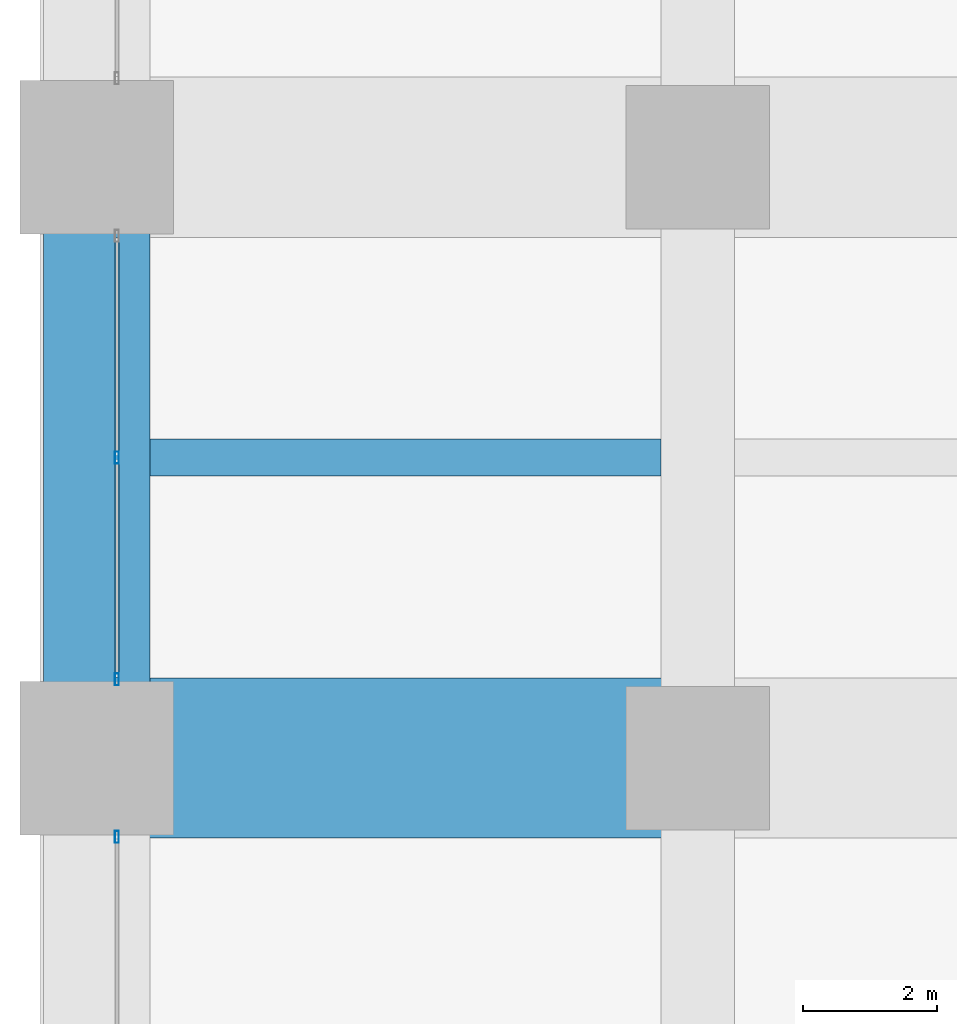
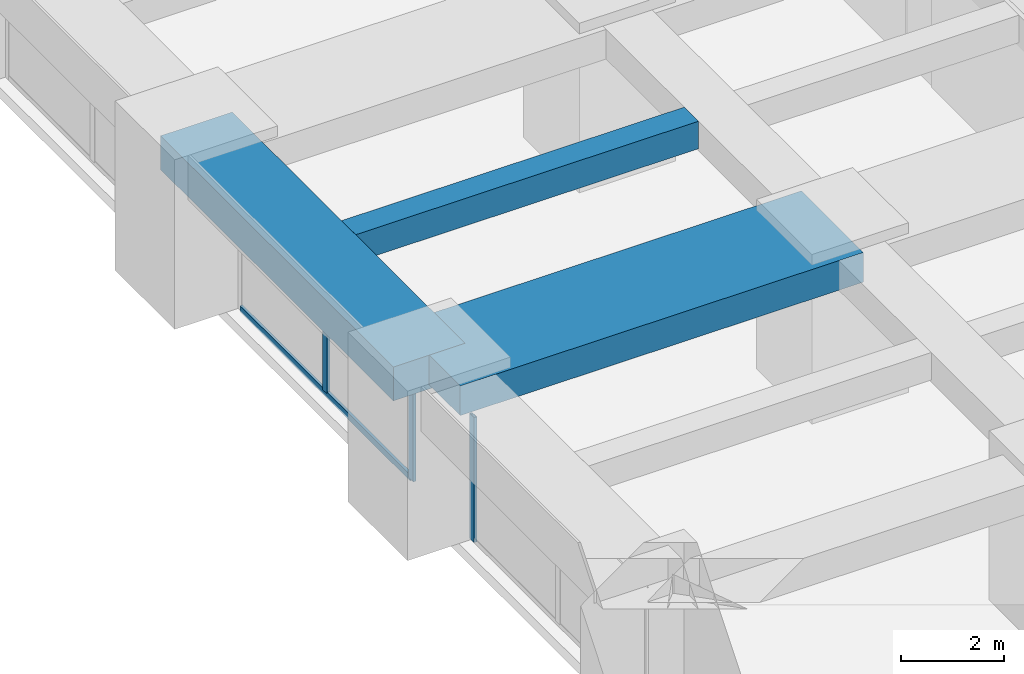
# One storey, part 8 of 44: 4 members, 3 beams, 2 elements without a shape of their own.
"""IFC4 building model written with IfcOpenShell, lengths in metres."""

import ifcopenshell
import ifcopenshell.guid

model = None  # the IFC model being written
_history = None  # IfcOwnerHistory: only IFC2X3 demands one
_inside = {}  # id of a spatial element -> (the spatial element, [elements in it])
_under = {}  # id of a project, library or spatial element -> (it, [spatial elements below it])
_declared = {}  # id of a project -> (the project, [libraries it declares])
_typed = {}  # id of a type object -> (the type object, [elements of that type])
_made_of = {}  # id of a material, layer set ... -> (it, [elements and type objects made of it])


def new_model(schema):
    """Start an empty IFC model of exactly this schema.

    Asked for "IFC4X3", IfcOpenShell would pick the latest addendum, in which some entities
    have other attributes; the version numbers below select the first issue.
    IFC2X3 requires an IfcOwnerHistory on every rooted entity: one is made here for all.
    """
    global model, _history
    if schema == "IFC4X3":
        model = ifcopenshell.file(schema_version=(4, 3, 0, 0))
    else:
        model = ifcopenshell.file(schema=schema)
    _inside.clear()
    _under.clear()
    _declared.clear()
    _typed.clear()
    _made_of.clear()
    _history = None
    if model.schema == "IFC2X3":
        org = make("IfcOrganization", Name="unknown")
        user = make(
            "IfcPersonAndOrganization",
            ThePerson=make("IfcPerson", FamilyName="unknown"),
            TheOrganization=org,
        )
        app = make(
            "IfcApplication",
            ApplicationDeveloper=org,
            Version="unknown",
            ApplicationFullName="unknown",
            ApplicationIdentifier="unknown",
        )
        _history = make(
            "IfcOwnerHistory",
            OwningUser=user,
            OwningApplication=app,
            ChangeAction="ADDED",
            CreationDate=0,
        )
    return model


def make(cls, **values):
    """One entity of the class cls with the attributes given. An attribute that is None is left unset."""
    return model.create_entity(
        cls, **{name: value for name, value in values.items() if value is not None}
    )


def rooted(cls, **values):
    """An entity with a GlobalId (a new one), such as an element, a storey or a relation."""
    return make(cls, GlobalId=ifcopenshell.guid.new(), OwnerHistory=_history, **values)


def si_unit(unit_type, name, prefix=None):
    """IfcSIUnit, for example si_unit("LENGTHUNIT", "METRE", prefix="MILLI")."""
    return make("IfcSIUnit", UnitType=unit_type, Prefix=prefix, Name=name)


def assignment(units):
    """IfcUnitAssignment: the units of a project."""
    return None if units is None else make("IfcUnitAssignment", Units=units)


def point(xyz):
    """IfcCartesianPoint."""
    return None if xyz is None else make("IfcCartesianPoint", Coordinates=xyz)


def direction(xyz):
    """IfcDirection."""
    return None if xyz is None else make("IfcDirection", DirectionRatios=xyz)


def frame(location, z_axis=None, x_axis=None):
    """IfcAxis2Placement3D, a coordinate frame: its origin and axes. An axis left out is left unset."""
    return make(
        "IfcAxis2Placement3D",
        Location=point(location),
        Axis=direction(z_axis),
        RefDirection=direction(x_axis),
    )


def frame_2d(location, x_axis=None):
    """IfcAxis2Placement2D, a coordinate frame in the plane: its origin and x axis."""
    return make(
        "IfcAxis2Placement2D", Location=point(location), RefDirection=direction(x_axis)
    )


def origin():
    """The frame at (0, 0, 0) with its axes left unset."""
    return frame((0.0, 0.0, 0.0))


def origin_2d():
    """The frame at (0, 0) in the plane with its x axis left unset."""
    return frame_2d((0.0, 0.0))


def place(relative_to, where):
    """IfcLocalPlacement: puts the frame where relative to a parent placement (None: the world)."""
    return make(
        "IfcLocalPlacement", PlacementRelTo=relative_to, RelativePlacement=where
    )


def context(
    kind, dimensions, precision=None, world=None, true_north=None, identifier=None
):
    """IfcGeometricRepresentationContext, for example the 3D "Model" context."""
    return make(
        "IfcGeometricRepresentationContext",
        ContextIdentifier=identifier,
        ContextType=kind,
        CoordinateSpaceDimension=dimensions,
        Precision=precision,
        WorldCoordinateSystem=world,
        TrueNorth=true_north,
    )


def subcontext(parent, identifier, kind, view, scale=None):
    """IfcGeometricRepresentationSubContext, for example "Body" below "Model"."""
    return make(
        "IfcGeometricRepresentationSubContext",
        ContextIdentifier=identifier,
        ContextType=kind,
        ParentContext=parent,
        TargetScale=scale,
        TargetView=view,
    )


def project(units=None, contexts=None):
    """IfcProject with its units and contexts."""
    return rooted(
        "IfcProject",
        Name="project",
        RepresentationContexts=contexts,
        UnitsInContext=assignment(units),
    )


def spatial(cls, under=None, at=None, **own):
    """A site, building, storey or space (cls), placed at a placement, below another one or the project."""
    s = rooted(cls, ObjectPlacement=at, **own)
    if under is not None:
        _under.setdefault(under.id(), (under, []))[1].append(s)
    return s


def profile(cls, at=None, kind="AREA", **sizes):
    """A parametric profile (cls). Its sizes go by their IFC names, for example OverallWidth=200.0."""
    return make(cls, ProfileType=kind, Position=at, **sizes)


def rectangle(**sizes):
    """IfcRectangleProfileDef."""
    return profile("IfcRectangleProfileDef", **sizes)


def hollow_rectangle(**sizes):
    """IfcRectangleHollowProfileDef."""
    return profile("IfcRectangleHollowProfileDef", **sizes)


def extrude(swept, where, along, depth):
    """IfcExtrudedAreaSolid: the profile swept, set in the frame where, extruded along a direction by depth."""
    return make(
        "IfcExtrudedAreaSolid",
        SweptArea=swept,
        Position=where,
        ExtrudedDirection=direction(along),
        Depth=depth,
    )


def shape(context_of_items, identifier, shape_type, items):
    """IfcShapeRepresentation: the items that make up one representation, for example the "Body"."""
    return make(
        "IfcShapeRepresentation",
        ContextOfItems=context_of_items,
        RepresentationIdentifier=identifier,
        RepresentationType=shape_type,
        Items=items,
    )


def material(Name=None, Category=None):
    """IfcMaterial."""
    return make("IfcMaterial", Name=Name, Category=Category)


def material_profile(
    of_material, cross_section, Name=None, Category=None, Priority=None
):
    """IfcMaterialProfile: a cross section and its material."""
    return make(
        "IfcMaterialProfile",
        Name=Name,
        Material=of_material,
        Profile=cross_section,
        Priority=Priority,
        Category=Category,
    )


def profile_set(profiles, Name=None, composite=None):
    """IfcMaterialProfileSet."""
    return make(
        "IfcMaterialProfileSet",
        Name=Name,
        MaterialProfiles=profiles,
        CompositeProfile=composite,
    )


def made_of(thing, what):
    """Note that an element or type object is made of a material, layer set ...; save() writes the relation."""
    if what is not None:
        _made_of.setdefault(what.id(), (what, []))[1].append(thing)
    return thing


def type_object(cls, material=None, **own):
    """A type object (cls), such as IfcWallType, which elements share."""
    return made_of(rooted(cls, **own), material)


def element(
    cls,
    number,
    at=None,
    inside=None,
    cuts=None,
    type_object=None,
    material=None,
    context=None,
    identifier="Body",
    shape_type=None,
    held_by="IfcProductDefinitionShape",
    body=None,
    shapes=None,
    **own,
):
    """One element of the class cls, such as IfcWall. Its Tag is "e" and its number.

    at: its placement. inside: the storey or other place that contains it. cuts: it is an
    opening in that element (IfcRelVoidsElement). A single representation is given by context,
    identifier, shape_type and body (its items); several are given by shapes. held_by: the class
    of the entity that holds the representations. save() writes the other relations.
    """
    e = rooted(cls, Tag="e%d" % number, ObjectPlacement=at, **own)
    if body is not None:
        shapes = [shape(context, identifier, shape_type, body)]
    if shapes is not None:
        e.Representation = make(held_by, Representations=shapes)
    if inside is not None:
        _inside.setdefault(inside.id(), (inside, []))[1].append(e)
    if cuts is not None:
        rooted(
            "IfcRelVoidsElement", RelatingBuildingElement=cuts, RelatedOpeningElement=e
        )
    if type_object is not None:
        _typed.setdefault(type_object.id(), (type_object, []))[1].append(e)
    return made_of(e, material)


def aggregate(whole, parts):
    """IfcRelAggregates: a whole, such as a stair, and the parts it consists of."""
    return rooted("IfcRelAggregates", RelatingObject=whole, RelatedObjects=parts)


def save(model, path):
    """Write the relations noted so far, then the file.

    IfcRelAggregates (storeys below a building ...), IfcRelContainedInSpatialStructure (elements
    in a storey), IfcRelDefinesByType, IfcRelAssociatesMaterial and IfcRelDeclares: one each for
    every whole, place, type object, material and project.
    """
    for whole, parts in _under.values():
        aggregate(whole, parts)
    for where, things in _inside.values():
        rooted(
            "IfcRelContainedInSpatialStructure",
            RelatedElements=things,
            RelatingStructure=where,
        )
    for kind, things in _typed.values():
        rooted("IfcRelDefinesByType", RelatedObjects=things, RelatingType=kind)
    for what, things in _made_of.values():
        rooted("IfcRelAssociatesMaterial", RelatedObjects=things, RelatingMaterial=what)
    for by, libraries in _declared.values():
        rooted("IfcRelDeclares", RelatingContext=by, RelatedDefinitions=libraries)
    model.write(path)


model = new_model("IFC4")

# Units and contexts
model_context = context("Model", 3, precision=1e-05, world=origin(), true_north=direction((0.0, 1.0)))
body_context = subcontext(model_context, "Body", "Model", "MODEL_VIEW")
ifc_project = project(units=[si_unit("LENGTHUNIT", "METRE"), si_unit("AREAUNIT", "SQUARE_METRE"), si_unit("VOLUMEUNIT", "CUBIC_METRE"), si_unit("PLANEANGLEUNIT", "RADIAN"), si_unit("MASSUNIT", "GRAM", prefix="KILO")], contexts=[model_context])

# Site, building, storey
site_placement = place(None, origin())
site = spatial("IfcSite", under=ifc_project, at=site_placement, CompositionType="ELEMENT")
building_placement = place(site_placement, origin())
building = spatial("IfcBuilding", under=site, at=building_placement, Name="Zorevar Civic Tower", CompositionType="ELEMENT")
storey_placement = place(building_placement, frame((0.0, 0.0, 63.800048828125)))
storey = spatial("IfcBuildingStorey", under=building, at=storey_placement, Name="L15", CompositionType="ELEMENT", Elevation=63.800048828125)

# Beams
ifc_material_1 = material(Name="Concrete C50/60", Category="concrete")
ifc_material_profile_1 = material_profile(ifc_material_1, rectangle(XDim=2.39990234375, YDim=0.699951171875, at=origin_2d()), Name="RC 2400x700")
ifc_profile_set_1 = profile_set([ifc_material_profile_1], Name="Concrete C50/60")
beam_type_1 = type_object("IfcBeamType", Name="Beam RC 2400x700", PredefinedType="BEAM", material=ifc_profile_set_1)
beam_1_placement = place(storey_placement, frame((0.0, 18.0, 3.39990234375), z_axis=(1.0, 0.0, 0.0), x_axis=(0.0, 1.0, 0.0)))
element("IfcBeam", 1, at=beam_1_placement, inside=storey, type_object=beam_type_1, Name="Girder L16", PredefinedType="BEAM", context=body_context, shape_type="SweptSolid", body=[
    extrude(rectangle(XDim=2.39990234375, YDim=0.699951171875, at=origin_2d()), origin(), (0.0, 0.0, 1.0), 9.0),
])
ifc_material_2 = material(Name="Concrete C50/60", Category="concrete")
ifc_material_profile_2 = material_profile(ifc_material_2, rectangle(XDim=0.550048828125, YDim=0.64990234375, at=origin_2d()), Name="RC 550x650")
ifc_profile_set_2 = profile_set([ifc_material_profile_2], Name="Concrete C50/60")
beam_type_2 = type_object("IfcBeamType", Name="Beam RC 550x650", PredefinedType="BEAM", material=ifc_profile_set_2)
beam_2_placement = place(storey_placement, frame((0.800048828125, 22.5, 3.425048828125), z_axis=(1.0, 0.0, 0.0), x_axis=(0.0, 1.0, 0.0)))
element("IfcBeam", 2, at=beam_2_placement, inside=storey, type_object=beam_type_2, Name="Secondary beam L16", PredefinedType="BEAM", context=body_context, shape_type="SweptSolid", body=[
    extrude(rectangle(XDim=0.550048828125, YDim=0.64990234375, at=origin_2d()), origin(), (0.0, 0.0, 1.0), 7.64990234375),
])

# Curtain wall, member
ifc_material_3 = material(Name="Dark grey solar-control glass in black aluminium frame", Category="aluminium")
curtain_wall_type = type_object("IfcCurtainWallType", Name="Curtain wall CW2 low zone", PredefinedType="NOTDEFINED", material=ifc_material_3)
curtain_wall_1_placement = place(storey_placement, origin())
curtain_wall_1 = element("IfcCurtainWall", 3, at=curtain_wall_1_placement, inside=storey, type_object=curtain_wall_type, Name="CW2 L15", PredefinedType="NOTDEFINED")
ifc_material_4 = material(Name="Aluminium, black anodised", Category="aluminium")
ifc_material_profile_3 = material_profile(ifc_material_4, hollow_rectangle(XDim=0.06005859375, YDim=0.179931640625, WallThickness=0.00390625, at=origin_2d()), Name="AL 180x60x4")
ifc_profile_set_3 = profile_set([ifc_material_profile_3], Name="Aluminium, black anodised")
member_type_1 = type_object("IfcMemberType", Name="CW2 mullion AL 180x60x4", PredefinedType="MULLION", material=ifc_profile_set_3)
member_1_placement = place(storey_placement, frame((0.300048828125, 16.820068359375, 0.0), z_axis=(0.0, 0.0, 1.0), x_axis=(-1.0, 0.0, 0.0)))
member_1 = element("IfcMember", 4, at=member_1_placement, type_object=member_type_1, Name="CW2 mullion 3", PredefinedType="MULLION", context=body_context, shape_type="SweptSolid", body=[
    extrude(hollow_rectangle(XDim=0.06005859375, YDim=0.179931640625, WallThickness=0.00390625, at=origin_2d()), origin(), (0.0, 0.0, 1.0), 2.949951171875),
])
aggregate(curtain_wall_1, [member_1])

# Curtain wall, members
curtain_wall_2_placement = place(storey_placement, origin())
curtain_wall_2 = element("IfcCurtainWall", 5, at=curtain_wall_2_placement, inside=storey, type_object=curtain_wall_type, Name="CW2 L15", PredefinedType="NOTDEFINED")
member_2_placement = place(storey_placement, frame((0.300048828125, 19.179931640625, 0.0), z_axis=(0.0, 0.0, 1.0), x_axis=(-1.0, 0.0, 0.0)))
member_2 = element("IfcMember", 6, at=member_2_placement, type_object=member_type_1, Name="CW2 mullion 1", PredefinedType="MULLION", context=body_context, shape_type="SweptSolid", body=[
    extrude(hollow_rectangle(XDim=0.06005859375, YDim=0.179931640625, WallThickness=0.00390625, at=origin_2d()), origin(), (0.0, 0.0, 1.0), 2.949951171875),
])
member_3_placement = place(storey_placement, frame((0.300048828125, 22.5, 0.06005859375), z_axis=(0.0, 0.0, 1.0), x_axis=(-1.0, 0.0, 0.0)))
member_3 = element("IfcMember", 7, at=member_3_placement, type_object=member_type_1, Name="CW2 mullion 2", PredefinedType="MULLION", context=body_context, shape_type="SweptSolid", body=[
    extrude(hollow_rectangle(XDim=0.06005859375, YDim=0.179931640625, WallThickness=0.00390625, at=origin_2d()), origin(), (0.0, 0.0, 1.0), 2.889892578125),
])
ifc_material_5 = material(Name="Aluminium, black anodised", Category="aluminium")
ifc_material_profile_4 = material_profile(ifc_material_5, hollow_rectangle(XDim=0.06005859375, YDim=0.14990234375, WallThickness=0.00390625, at=origin_2d()), Name="AL 150x60x4")
ifc_profile_set_4 = profile_set([ifc_material_profile_4], Name="Aluminium, black anodised")
member_type_2 = type_object("IfcMemberType", Name="CW2 transom AL 150x60x4", PredefinedType="USERDEFINED", material=ifc_profile_set_4)
member_4_placement = place(storey_placement, frame((0.300048828125, 19.2099609375, 0.030029296875), z_axis=(0.0, 1.0, 0.0), x_axis=(-1.0, 0.0, 0.0)))
member_4 = element("IfcMember", 8, at=member_4_placement, type_object=member_type_2, Name="CW2 sill transom", ObjectType="TRANSOM", PredefinedType="USERDEFINED", context=body_context, shape_type="SweptSolid", body=[
    extrude(hollow_rectangle(XDim=0.06005859375, YDim=0.14990234375, WallThickness=0.00390625, at=origin_2d()), origin(), (0.0, 0.0, 1.0), 6.580078125),
])
aggregate(curtain_wall_2, [member_2, member_3, member_4])

# Beam
ifc_material_6 = material(Name="Concrete C50/60", Category="concrete")
ifc_material_profile_5 = material_profile(ifc_material_6, rectangle(XDim=1.60009765625, YDim=0.800048828125, at=origin_2d()), Name="RC 1600x800")
ifc_profile_set_5 = profile_set([ifc_material_profile_5], Name="Concrete C50/60")
beam_type_3 = type_object("IfcBeamType", Name="Edge beam RC 1600x800", PredefinedType="SPANDREL", material=ifc_profile_set_5)
beam_3_placement = place(storey_placement, frame((0.0, 18.0, 3.349853515625), z_axis=(0.0, 1.0, 0.0), x_axis=(-1.0, 0.0, 0.0)))
element("IfcBeam", 9, at=beam_3_placement, inside=storey, type_object=beam_type_3, Name="Edge beam L16", PredefinedType="SPANDREL", context=body_context, shape_type="SweptSolid", body=[
    extrude(rectangle(XDim=1.60009765625, YDim=0.800048828125, at=origin_2d()), origin(), (0.0, 0.0, 1.0), 9.0),
])

save(model, "model.ifc")
